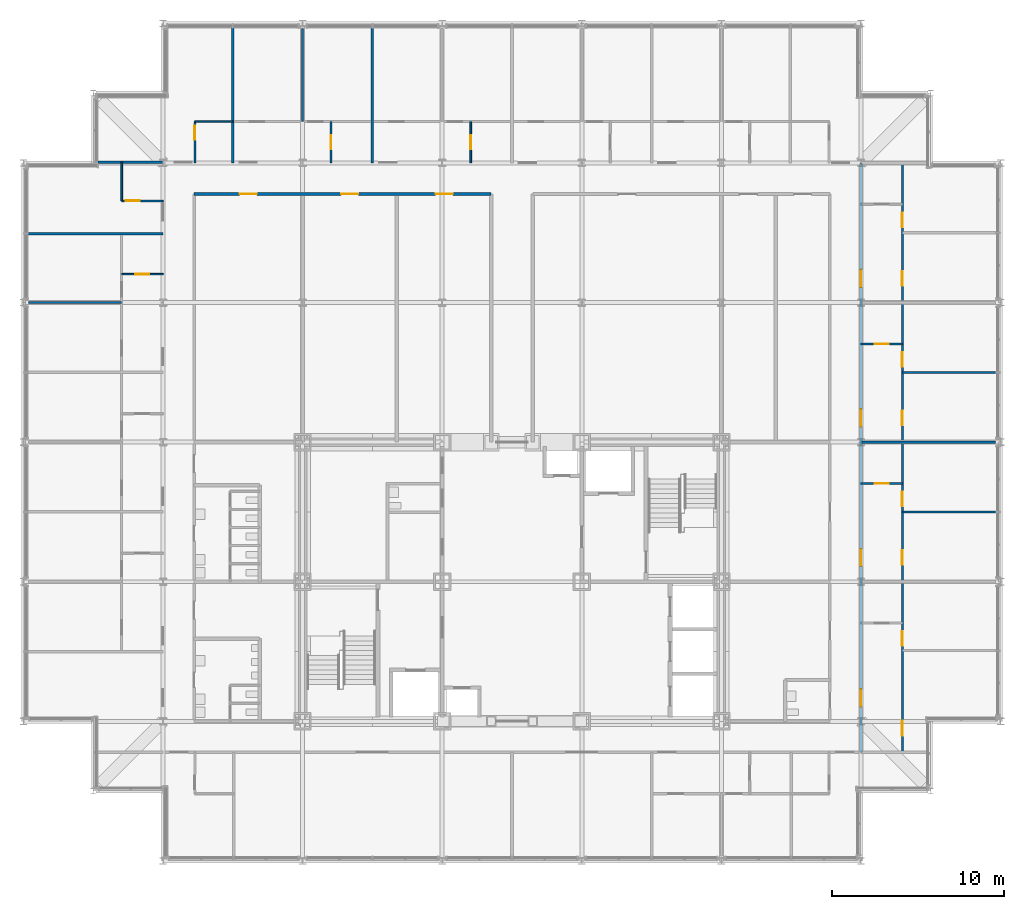
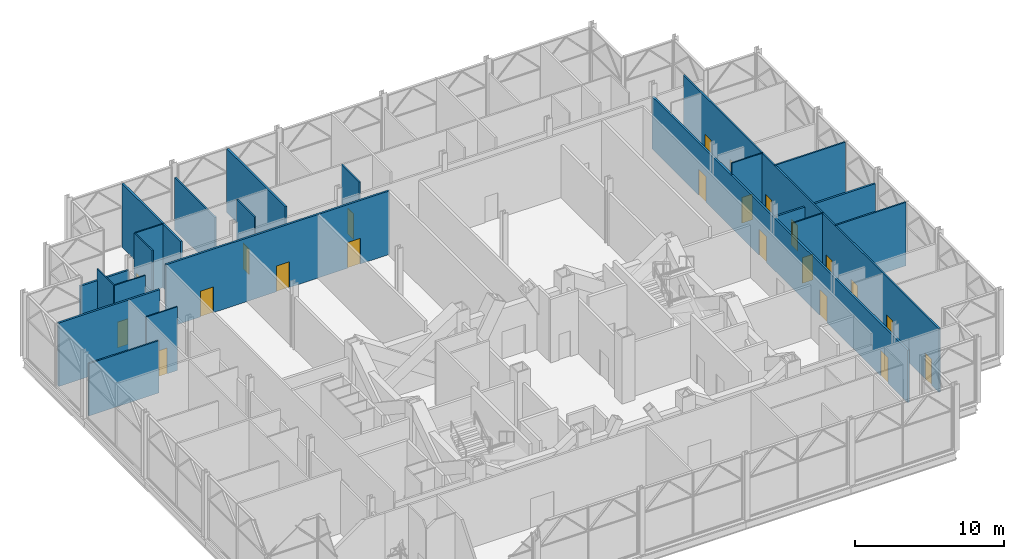
# One storey, part 22 of 26: 22 doors, 21 walls, 22 openings.
"""IFC4 building model written with IfcOpenShell, lengths in metres."""

from ifc_helpers import new_model, si_unit, direction, frame, frame_2d, origin, place, context, subcontext, project, spatial, rectangle, extrude, material, layer, layer_set, type_object, element, fill, save


model = new_model("IFC4")

# Units and contexts
model_context = context("Model", 3, precision=1e-05, world=origin(), true_north=direction((0.0, 1.0)))
body_context = subcontext(model_context, "Body", "Model", "MODEL_VIEW")
ifc_project = project(units=[si_unit("LENGTHUNIT", "METRE"), si_unit("AREAUNIT", "SQUARE_METRE"), si_unit("VOLUMEUNIT", "CUBIC_METRE"), si_unit("PLANEANGLEUNIT", "RADIAN"), si_unit("MASSUNIT", "GRAM", prefix="KILO")], contexts=[model_context])

# Site, building, storey
site_placement = place(None, origin())
site = spatial("IfcSite", under=ifc_project, at=site_placement, CompositionType="ELEMENT")
building_placement = place(site_placement, origin())
building = spatial("IfcBuilding", under=site, at=building_placement, Name="Kopane Lantern Tower", CompositionType="ELEMENT")
storey_placement = place(building_placement, frame((0.0, 0.0, 293.10009765625)))
storey = spatial("IfcBuildingStorey", under=building, at=storey_placement, Name="L75", CompositionType="ELEMENT", Elevation=293.10009765625)

# Walls
ifc_material_1 = material(Name="Gypsum board on steel studs", Category="steel")
ifc_layer_1 = layer(ifc_material_1, 0.1201171875)
ifc_layer_set_1 = layer_set([ifc_layer_1], Name="APARTMENT INTERNAL WALL 120")
wall_type_1 = type_object("IfcWallType", Name="APARTMENT INTERNAL WALL 120", PredefinedType="PARTITIONING", material=ifc_layer_set_1)
for number, where, z_axis, x_axis, name in (
    (1, (16.199951171875, 59.10009765625, 0.0), (0.0, 0.0, 1.0), (0.0, 1.0, 0.0), "Apartment Internal Wall 120 L75"),
    (2, (5.699951171875, 48.60009765625, 0.0), (0.0, 0.0, 1.0), (-1.0, 0.0, 0.0), "Apartment Internal Wall 120 L75"),
):
    element("IfcWall", number, at=place(storey_placement, frame(where, z_axis=z_axis, x_axis=x_axis)), inside=storey, type_object=wall_type_1, Name=name, PredefinedType="PARTITIONING", context=body_context, shape_type="SweptSolid", body=[
        extrude(rectangle(XDim=5.39990234375, YDim=0.1201171875, at=frame_2d((2.699951171875, 0.0))), origin(), (0.0, 0.0, 1.0), 4.271484375),
    ])

# Wall, openings, doors
wall_1_placement = place(storey_placement, frame((51.0, 22.5, 0.0), z_axis=(0.0, 0.0, 1.0), x_axis=(0.0, 1.0, 0.0)))
wall_1 = element("IfcWall", 3, at=wall_1_placement, inside=storey, type_object=wall_type_1, Name="Apartment Internal Wall 120 L75", PredefinedType="PARTITIONING", context=body_context, shape_type="SweptSolid", body=[
    extrude(rectangle(XDim=34.199951171875, YDim=0.1201171875, at=frame_2d((17.10009765625, 0.0))), origin(), (0.0, 0.0, 1.0), 5.18994140625),
])
opening_1_placement = place(wall_1_placement, frame((0.97509765625, 0.0, 0.0)))
opening_1 = element("IfcOpeningElement", 4, at=opening_1_placement, cuts=wall_1, Name="Opening L75-053", PredefinedType="OPENING", context=body_context, shape_type="SweptSolid", body=[
    extrude(rectangle(XDim=0.85009765625, YDim=2.10009765625, at=frame_2d((0.425048828125, 1.050048828125))), frame((0.0, 0.070068359375, 0.0), z_axis=(0.0, -1.0, 0.0), x_axis=(1.0, 0.0, 0.0)), (0.0, 0.0, 1.0), 0.14013671875),
])
opening_2_placement = place(wall_1_placement, frame((6.175048828125, 0.0, 0.0)))
opening_2 = element("IfcOpeningElement", 5, at=opening_2_placement, cuts=wall_1, Name="Opening L75-054", PredefinedType="OPENING", context=body_context, shape_type="SweptSolid", body=[
    extrude(rectangle(XDim=0.85009765625, YDim=2.10009765625, at=frame_2d((0.425048828125, 1.050048828125))), frame((0.0, 0.070068359375, 0.0), z_axis=(0.0, -1.0, 0.0), x_axis=(1.0, 0.0, 0.0)), (0.0, 0.0, 1.0), 0.14013671875),
])
opening_3_placement = place(wall_1_placement, frame((10.875, 0.0, 0.0)))
opening_3 = element("IfcOpeningElement", 6, at=opening_3_placement, cuts=wall_1, Name="Opening L75-057", PredefinedType="OPENING", context=body_context, shape_type="SweptSolid", body=[
    extrude(rectangle(XDim=0.85009765625, YDim=2.10009765625, at=frame_2d((0.425048828125, 1.050048828125))), frame((0.0, 0.070068359375, 0.0), z_axis=(0.0, -1.0, 0.0), x_axis=(1.0, 0.0, 0.0)), (0.0, 0.0, 1.0), 0.14013671875),
])
opening_4_placement = place(wall_1_placement, frame((14.27490234375, 0.0, 0.0)))
opening_4 = element("IfcOpeningElement", 7, at=opening_4_placement, cuts=wall_1, Name="Opening L75-058", PredefinedType="OPENING", context=body_context, shape_type="SweptSolid", body=[
    extrude(rectangle(XDim=0.85009765625, YDim=2.10009765625, at=frame_2d((0.425048828125, 1.050048828125))), frame((0.0, 0.070068359375, 0.0), z_axis=(0.0, -1.0, 0.0), x_axis=(1.0, 0.0, 0.0)), (0.0, 0.0, 1.0), 0.14013671875),
])
opening_5_placement = place(wall_1_placement, frame((18.97509765625, 0.0, 0.0)))
opening_5 = element("IfcOpeningElement", 8, at=opening_5_placement, cuts=wall_1, Name="Opening L75-061", PredefinedType="OPENING", context=body_context, shape_type="SweptSolid", body=[
    extrude(rectangle(XDim=0.85009765625, YDim=2.10009765625, at=frame_2d((0.425048828125, 1.050048828125))), frame((0.0, 0.070068359375, 0.0), z_axis=(0.0, -1.0, 0.0), x_axis=(1.0, 0.0, 0.0)), (0.0, 0.0, 1.0), 0.14013671875),
])
opening_6_placement = place(wall_1_placement, frame((22.375, 0.0, 0.0)))
opening_6 = element("IfcOpeningElement", 9, at=opening_6_placement, cuts=wall_1, Name="Opening L75-062", PredefinedType="OPENING", context=body_context, shape_type="SweptSolid", body=[
    extrude(rectangle(XDim=0.85009765625, YDim=2.10009765625, at=frame_2d((0.425048828125, 1.050048828125))), frame((0.0, 0.070068359375, 0.0), z_axis=(0.0, -1.0, 0.0), x_axis=(1.0, 0.0, 0.0)), (0.0, 0.0, 1.0), 0.14013671875),
])
opening_7_placement = place(wall_1_placement, frame((27.074951171875, 0.0, 0.0)))
opening_7 = element("IfcOpeningElement", 10, at=opening_7_placement, cuts=wall_1, Name="Opening L75-065", PredefinedType="OPENING", context=body_context, shape_type="SweptSolid", body=[
    extrude(rectangle(XDim=0.85009765625, YDim=2.10009765625, at=frame_2d((0.425048828125, 1.050048828125))), frame((0.0, 0.070068359375, 0.0), z_axis=(0.0, -1.0, 0.0), x_axis=(1.0, 0.0, 0.0)), (0.0, 0.0, 1.0), 0.14013671875),
])
opening_8_placement = place(wall_1_placement, frame((30.47509765625, 0.0, 0.0)))
opening_8 = element("IfcOpeningElement", 11, at=opening_8_placement, cuts=wall_1, Name="Opening L75-066", PredefinedType="OPENING", context=body_context, shape_type="SweptSolid", body=[
    extrude(rectangle(XDim=0.85009765625, YDim=2.10009765625, at=frame_2d((0.425048828125, 1.050048828125))), frame((0.0, 0.070068359375, 0.0), z_axis=(0.0, -1.0, 0.0), x_axis=(1.0, 0.0, 0.0)), (0.0, 0.0, 1.0), 0.14013671875),
])
ifc_material_2 = material(Name="Timber door set", Category="wood")
door_type_1 = type_object("IfcDoorType", Name="DOOR D4 850x2100", OperationType="SINGLE_SWING_LEFT", PredefinedType="DOOR", material=ifc_material_2)
door_1_placement = place(opening_1_placement, origin())
door_1 = element("IfcDoor", 12, at=door_1_placement, inside=storey, type_object=door_type_1, Name="Door L75-053", OperationType="SINGLE_SWING_LEFT", OverallHeight=2.10009765625, OverallWidth=0.85009765625, PredefinedType="DOOR", context=body_context, shape_type="SweptSolid", body=[
    extrude(rectangle(XDim=0.85009765625, YDim=2.10009765625, at=frame_2d((0.425048828125, 1.050048828125))), frame((0.0, 0.02490234375, 0.0), z_axis=(0.0, -1.0, 0.0), x_axis=(1.0, 0.0, 0.0)), (0.0, 0.0, 1.0), 0.050048828125),
])
fill(opening_1, door_1)
door_2_placement = place(opening_2_placement, origin())
door_2 = element("IfcDoor", 13, at=door_2_placement, inside=storey, type_object=door_type_1, Name="Door L75-054", OperationType="SINGLE_SWING_RIGHT", OverallHeight=2.10009765625, OverallWidth=0.85009765625, PredefinedType="DOOR", context=body_context, shape_type="SweptSolid", body=[
    extrude(rectangle(XDim=0.85009765625, YDim=2.10009765625, at=frame_2d((0.425048828125, 1.050048828125))), frame((0.0, 0.02490234375, 0.0), z_axis=(0.0, -1.0, 0.0), x_axis=(1.0, 0.0, 0.0)), (0.0, 0.0, 1.0), 0.050048828125),
])
fill(opening_2, door_2)
door_3_placement = place(opening_3_placement, origin())
door_3 = element("IfcDoor", 14, at=door_3_placement, inside=storey, type_object=door_type_1, Name="Door L75-057", OperationType="SINGLE_SWING_LEFT", OverallHeight=2.10009765625, OverallWidth=0.85009765625, PredefinedType="DOOR", context=body_context, shape_type="SweptSolid", body=[
    extrude(rectangle(XDim=0.85009765625, YDim=2.10009765625, at=frame_2d((0.425048828125, 1.050048828125))), frame((0.0, 0.02490234375, 0.0), z_axis=(0.0, -1.0, 0.0), x_axis=(1.0, 0.0, 0.0)), (0.0, 0.0, 1.0), 0.050048828125),
])
fill(opening_3, door_3)
door_4_placement = place(opening_4_placement, origin())
door_4 = element("IfcDoor", 15, at=door_4_placement, inside=storey, type_object=door_type_1, Name="Door L75-058", OperationType="SINGLE_SWING_RIGHT", OverallHeight=2.10009765625, OverallWidth=0.85009765625, PredefinedType="DOOR", context=body_context, shape_type="SweptSolid", body=[
    extrude(rectangle(XDim=0.85009765625, YDim=2.10009765625, at=frame_2d((0.425048828125, 1.050048828125))), frame((0.0, 0.02490234375, 0.0), z_axis=(0.0, -1.0, 0.0), x_axis=(1.0, 0.0, 0.0)), (0.0, 0.0, 1.0), 0.050048828125),
])
fill(opening_4, door_4)
door_5_placement = place(opening_5_placement, origin())
door_5 = element("IfcDoor", 16, at=door_5_placement, inside=storey, type_object=door_type_1, Name="Door L75-061", OperationType="SINGLE_SWING_LEFT", OverallHeight=2.10009765625, OverallWidth=0.85009765625, PredefinedType="DOOR", context=body_context, shape_type="SweptSolid", body=[
    extrude(rectangle(XDim=0.85009765625, YDim=2.10009765625, at=frame_2d((0.425048828125, 1.050048828125))), frame((0.0, 0.02490234375, 0.0), z_axis=(0.0, -1.0, 0.0), x_axis=(1.0, 0.0, 0.0)), (0.0, 0.0, 1.0), 0.050048828125),
])
fill(opening_5, door_5)
door_6_placement = place(opening_6_placement, origin())
door_6 = element("IfcDoor", 17, at=door_6_placement, inside=storey, type_object=door_type_1, Name="Door L75-062", OperationType="SINGLE_SWING_RIGHT", OverallHeight=2.10009765625, OverallWidth=0.85009765625, PredefinedType="DOOR", context=body_context, shape_type="SweptSolid", body=[
    extrude(rectangle(XDim=0.85009765625, YDim=2.10009765625, at=frame_2d((0.425048828125, 1.050048828125))), frame((0.0, 0.02490234375, 0.0), z_axis=(0.0, -1.0, 0.0), x_axis=(1.0, 0.0, 0.0)), (0.0, 0.0, 1.0), 0.050048828125),
])
fill(opening_6, door_6)
door_7_placement = place(opening_7_placement, origin())
door_7 = element("IfcDoor", 18, at=door_7_placement, inside=storey, type_object=door_type_1, Name="Door L75-065", OperationType="SINGLE_SWING_LEFT", OverallHeight=2.10009765625, OverallWidth=0.85009765625, PredefinedType="DOOR", context=body_context, shape_type="SweptSolid", body=[
    extrude(rectangle(XDim=0.85009765625, YDim=2.10009765625, at=frame_2d((0.425048828125, 1.050048828125))), frame((0.0, 0.02490234375, 0.0), z_axis=(0.0, -1.0, 0.0), x_axis=(1.0, 0.0, 0.0)), (0.0, 0.0, 1.0), 0.050048828125),
])
fill(opening_7, door_7)
door_8_placement = place(opening_8_placement, origin())
door_8 = element("IfcDoor", 19, at=door_8_placement, inside=storey, type_object=door_type_1, Name="Door L75-066", OperationType="SINGLE_SWING_RIGHT", OverallHeight=2.10009765625, OverallWidth=0.85009765625, PredefinedType="DOOR", context=body_context, shape_type="SweptSolid", body=[
    extrude(rectangle(XDim=0.85009765625, YDim=2.10009765625, at=frame_2d((0.425048828125, 1.050048828125))), frame((0.0, 0.02490234375, 0.0), z_axis=(0.0, -1.0, 0.0), x_axis=(1.0, 0.0, 0.0)), (0.0, 0.0, 1.0), 0.050048828125),
])
fill(opening_8, door_8)

# Walls
for number, where, z_axis, x_axis, name in (
    (20, (51.0, 36.449951171875, 0.0), (0.0, 0.0, 1.0), (1.0, 0.0, 0.0), "Apartment Internal Wall 120 L75"),
    (21, (51.0, 44.550048828125, 0.0), (0.0, 0.0, 1.0), (1.0, 0.0, 0.0), "Apartment Internal Wall 120 L75"),
):
    element("IfcWall", number, at=place(storey_placement, frame(where, z_axis=z_axis, x_axis=x_axis)), inside=storey, type_object=wall_type_1, Name=name, PredefinedType="PARTITIONING", context=body_context, shape_type="SweptSolid", body=[
        extrude(rectangle(XDim=5.422119140625, YDim=0.1201171875, at=frame_2d((2.7109375, 0.0))), origin(), (0.0, 0.0, 1.0), 5.18994140625),
    ])

# Wall, opening, door
ifc_material_3 = material(Name="Moisture-resistant board on steel studs", Category="steel")
ifc_layer_2 = layer(ifc_material_3, 0.10009765625)
ifc_layer_set_2 = layer_set([ifc_layer_2], Name="BATHROOM WALL 100")
wall_type_2 = type_object("IfcWallType", Name="BATHROOM WALL 100", PredefinedType="PARTITIONING", material=ifc_layer_set_2)
wall_2_placement = place(storey_placement, frame((17.85009765625, 56.699951171875, 0.0), z_axis=(0.0, 0.0, 1.0), x_axis=(0.0, 1.0, 0.0)))
wall_2 = element("IfcWall", 22, at=wall_2_placement, inside=storey, type_object=wall_type_2, Name="Bathroom Wall 100 L75", PredefinedType="PARTITIONING", context=body_context, shape_type="SweptSolid", body=[
    extrude(rectangle(XDim=2.400146484375, YDim=0.10009765625, at=frame_2d((1.2001953125, 0.0))), origin(), (0.0, 0.0, 1.0), 5.18994140625),
])
opening_9_placement = place(wall_2_placement, frame((0.800048828125, 0.0, 0.0)))
opening_9 = element("IfcOpeningElement", 23, at=opening_9_placement, cuts=wall_2, Name="Opening L75-020", PredefinedType="OPENING", context=body_context, shape_type="SweptSolid", body=[
    extrude(rectangle(XDim=0.800048828125, YDim=2.10009765625, at=frame_2d((0.39990234375, 1.050048828125))), frame((0.0, 0.06005859375, 0.0), z_axis=(0.0, -1.0, 0.0), x_axis=(1.0, 0.0, 0.0)), (0.0, 0.0, 1.0), 0.1201171875),
])
ifc_material_4 = material(Name="Timber door set", Category="wood")
door_type_2 = type_object("IfcDoorType", Name="DOOR D2 800x2100", OperationType="SINGLE_SWING_LEFT", PredefinedType="DOOR", material=ifc_material_4)
door_9_placement = place(opening_9_placement, origin())
door_9 = element("IfcDoor", 24, at=door_9_placement, inside=storey, type_object=door_type_2, Name="Door L75-020", OperationType="SINGLE_SWING_RIGHT", OverallHeight=2.10009765625, OverallWidth=0.800048828125, PredefinedType="DOOR", context=body_context, shape_type="SweptSolid", body=[
    extrude(rectangle(XDim=0.800048828125, YDim=2.10009765625, at=frame_2d((0.39990234375, 1.050048828125))), frame((0.0, 0.02490234375, 0.0), z_axis=(0.0, -1.0, 0.0), x_axis=(1.0, 0.0, 0.0)), (0.0, 0.0, 1.0), 0.050048828125),
])
fill(opening_9, door_9)

wall_3_placement = place(storey_placement, frame((25.949951171875, 56.699951171875, 0.0), z_axis=(0.0, 0.0, 1.0), x_axis=(0.0, 1.0, 0.0)))
wall_3 = element("IfcWall", 25, at=wall_3_placement, inside=storey, type_object=wall_type_2, Name="Bathroom Wall 100 L75", PredefinedType="PARTITIONING", context=body_context, shape_type="SweptSolid", body=[
    extrude(rectangle(XDim=2.400146484375, YDim=0.10009765625, at=frame_2d((1.2001953125, 0.0))), origin(), (0.0, 0.0, 1.0), 5.18994140625),
])
opening_10_placement = place(wall_3_placement, frame((0.800048828125, 0.0, 0.0)))
opening_10 = element("IfcOpeningElement", 26, at=opening_10_placement, cuts=wall_3, Name="Opening L75-024", PredefinedType="OPENING", context=body_context, shape_type="SweptSolid", body=[
    extrude(rectangle(XDim=0.800048828125, YDim=2.10009765625, at=frame_2d((0.39990234375, 1.050048828125))), frame((0.0, 0.06005859375, 0.0), z_axis=(0.0, -1.0, 0.0), x_axis=(1.0, 0.0, 0.0)), (0.0, 0.0, 1.0), 0.1201171875),
])
door_10_placement = place(opening_10_placement, origin())
door_10 = element("IfcDoor", 27, at=door_10_placement, inside=storey, type_object=door_type_2, Name="Door L75-024", OperationType="SINGLE_SWING_RIGHT", OverallHeight=2.10009765625, OverallWidth=0.800048828125, PredefinedType="DOOR", context=body_context, shape_type="SweptSolid", body=[
    extrude(rectangle(XDim=0.800048828125, YDim=2.10009765625, at=frame_2d((0.39990234375, 1.050048828125))), frame((0.0, 0.02490234375, 0.0), z_axis=(0.0, -1.0, 0.0), x_axis=(1.0, 0.0, 0.0)), (0.0, 0.0, 1.0), 0.050048828125),
])
fill(opening_10, door_10)

wall_4_placement = place(storey_placement, frame((8.10009765625, 50.25, 0.0), z_axis=(0.0, 0.0, 1.0), x_axis=(-1.0, 0.0, 0.0)))
wall_4 = element("IfcWall", 28, at=wall_4_placement, inside=storey, type_object=wall_type_2, Name="Bathroom Wall 100 L75", PredefinedType="PARTITIONING", context=body_context, shape_type="SweptSolid", body=[
    extrude(rectangle(XDim=2.400146484375, YDim=0.10009765625, at=frame_2d((1.2001953125, 0.0))), origin(), (0.0, 0.0, 1.0), 5.18994140625),
])
opening_11_placement = place(wall_4_placement, frame((0.800048828125, 0.0, 0.0)))
opening_11 = element("IfcOpeningElement", 29, at=opening_11_placement, cuts=wall_4, Name="Opening L75-045", PredefinedType="OPENING", context=body_context, shape_type="SweptSolid", body=[
    extrude(rectangle(XDim=0.800048828125, YDim=2.10009765625, at=frame_2d((0.39990234375, 1.050048828125))), frame((0.0, 0.06005859375, 0.0), z_axis=(0.0, -1.0, 0.0), x_axis=(1.0, 0.0, 0.0)), (0.0, 0.0, 1.0), 0.1201171875),
])
door_11_placement = place(opening_11_placement, origin())
door_11 = element("IfcDoor", 30, at=door_11_placement, inside=storey, type_object=door_type_2, Name="Door L75-045", OperationType="SINGLE_SWING_RIGHT", OverallHeight=2.10009765625, OverallWidth=0.800048828125, PredefinedType="DOOR", context=body_context, shape_type="SweptSolid", body=[
    extrude(rectangle(XDim=0.800048828125, YDim=2.10009765625, at=frame_2d((0.39990234375, 1.050048828125))), frame((0.0, 0.02490234375, 0.0), z_axis=(0.0, -1.0, 0.0), x_axis=(1.0, 0.0, 0.0)), (0.0, 0.0, 1.0), 0.050048828125),
])
fill(opening_11, door_11)

# Wall
wall_5_placement = place(storey_placement, frame((5.699951171875, 54.5, 0.0), z_axis=(0.0, 0.0, 1.0), x_axis=(0.0, 1.0, 0.0)))
element("IfcWall", 31, at=wall_5_placement, inside=storey, type_object=wall_type_2, Name="Bathroom Wall 100 L75", PredefinedType="PARTITIONING", context=body_context, shape_type="SweptSolid", body=[
    extrude(rectangle(XDim=2.237548828125, YDim=0.10009765625, at=frame_2d((1.11865234375, 0.0))), origin(), (0.0, 0.0, 1.0), 5.18994140625),
])

# Wall, opening, door
wall_6_placement = place(storey_placement, frame((8.10009765625, 54.5, 0.0), z_axis=(0.0, 0.0, 1.0), x_axis=(-1.0, 0.0, 0.0)))
wall_6 = element("IfcWall", 32, at=wall_6_placement, inside=storey, type_object=wall_type_2, Name="Bathroom Wall 100 L75", PredefinedType="PARTITIONING", context=body_context, shape_type="SweptSolid", body=[
    extrude(rectangle(XDim=2.400146484375, YDim=0.10009765625, at=frame_2d((1.2001953125, 0.0))), origin(), (0.0, 0.0, 1.0), 5.18994140625),
])
opening_12_placement = place(wall_6_placement, frame((1.35009765625, 0.0, 0.0)))
opening_12 = element("IfcOpeningElement", 33, at=opening_12_placement, cuts=wall_6, Name="Opening L75-049", PredefinedType="OPENING", context=body_context, shape_type="SweptSolid", body=[
    extrude(rectangle(XDim=0.800048828125, YDim=2.10009765625, at=frame_2d((0.39990234375, 1.050048828125))), frame((0.0, 0.06005859375, 0.0), z_axis=(0.0, -1.0, 0.0), x_axis=(1.0, 0.0, 0.0)), (0.0, 0.0, 1.0), 0.1201171875),
])
door_12_placement = place(opening_12_placement, origin())
door_12 = element("IfcDoor", 34, at=door_12_placement, inside=storey, type_object=door_type_2, Name="Door L75-049", OperationType="SINGLE_SWING_LEFT", OverallHeight=2.10009765625, OverallWidth=0.800048828125, PredefinedType="DOOR", context=body_context, shape_type="SweptSolid", body=[
    extrude(rectangle(XDim=0.800048828125, YDim=2.10009765625, at=frame_2d((0.39990234375, 1.050048828125))), frame((0.0, 0.02490234375, 0.0), z_axis=(0.0, -1.0, 0.0), x_axis=(1.0, 0.0, 0.0)), (0.0, 0.0, 1.0), 0.050048828125),
])
fill(opening_12, door_12)

wall_7_placement = place(storey_placement, frame((48.60009765625, 38.10009765625, 0.0), z_axis=(0.0, 0.0, 1.0), x_axis=(1.0, 0.0, 0.0)))
wall_7 = element("IfcWall", 35, at=wall_7_placement, inside=storey, type_object=wall_type_2, Name="Bathroom Wall 100 L75", PredefinedType="PARTITIONING", context=body_context, shape_type="SweptSolid", body=[
    extrude(rectangle(XDim=2.39990234375, YDim=0.10009765625, at=frame_2d((1.199951171875, 0.0))), origin(), (0.0, 0.0, 1.0), 5.18994140625),
])
opening_13_placement = place(wall_7_placement, frame((0.800048828125, 0.0, 0.0)))
opening_13 = element("IfcOpeningElement", 36, at=opening_13_placement, cuts=wall_7, Name="Opening L75-055", PredefinedType="OPENING", context=body_context, shape_type="SweptSolid", body=[
    extrude(rectangle(XDim=0.800048828125, YDim=2.10009765625, at=frame_2d((0.39990234375, 1.050048828125))), frame((0.0, 0.06005859375, 0.0), z_axis=(0.0, -1.0, 0.0), x_axis=(1.0, 0.0, 0.0)), (0.0, 0.0, 1.0), 0.1201171875),
])
door_13_placement = place(opening_13_placement, origin())
door_13 = element("IfcDoor", 37, at=door_13_placement, inside=storey, type_object=door_type_2, Name="Door L75-055", OperationType="SINGLE_SWING_LEFT", OverallHeight=2.10009765625, OverallWidth=0.800048828125, PredefinedType="DOOR", context=body_context, shape_type="SweptSolid", body=[
    extrude(rectangle(XDim=0.800048828125, YDim=2.10009765625, at=frame_2d((0.39990234375, 1.050048828125))), frame((0.0, 0.02490234375, 0.0), z_axis=(0.0, -1.0, 0.0), x_axis=(1.0, 0.0, 0.0)), (0.0, 0.0, 1.0), 0.050048828125),
])
fill(opening_13, door_13)

wall_8_placement = place(storey_placement, frame((48.60009765625, 46.199951171875, 0.0), z_axis=(0.0, 0.0, 1.0), x_axis=(1.0, 0.0, 0.0)))
wall_8 = element("IfcWall", 38, at=wall_8_placement, inside=storey, type_object=wall_type_2, Name="Bathroom Wall 100 L75", PredefinedType="PARTITIONING", context=body_context, shape_type="SweptSolid", body=[
    extrude(rectangle(XDim=2.39990234375, YDim=0.10009765625, at=frame_2d((1.199951171875, 0.0))), origin(), (0.0, 0.0, 1.0), 5.18994140625),
])
opening_14_placement = place(wall_8_placement, frame((0.800048828125, 0.0, 0.0)))
opening_14 = element("IfcOpeningElement", 39, at=opening_14_placement, cuts=wall_8, Name="Opening L75-059", PredefinedType="OPENING", context=body_context, shape_type="SweptSolid", body=[
    extrude(rectangle(XDim=0.800048828125, YDim=2.10009765625, at=frame_2d((0.39990234375, 1.050048828125))), frame((0.0, 0.06005859375, 0.0), z_axis=(0.0, -1.0, 0.0), x_axis=(1.0, 0.0, 0.0)), (0.0, 0.0, 1.0), 0.1201171875),
])
door_14_placement = place(opening_14_placement, origin())
door_14 = element("IfcDoor", 40, at=door_14_placement, inside=storey, type_object=door_type_2, Name="Door L75-059", OperationType="SINGLE_SWING_LEFT", OverallHeight=2.10009765625, OverallWidth=0.800048828125, PredefinedType="DOOR", context=body_context, shape_type="SweptSolid", body=[
    extrude(rectangle(XDim=0.800048828125, YDim=2.10009765625, at=frame_2d((0.39990234375, 1.050048828125))), frame((0.0, 0.02490234375, 0.0), z_axis=(0.0, -1.0, 0.0), x_axis=(1.0, 0.0, 0.0)), (0.0, 0.0, 1.0), 0.050048828125),
])
fill(opening_14, door_14)

# Wall
wall_9_placement = place(storey_placement, frame((9.949951171875, 59.10009765625, 0.0), z_axis=(0.0, 0.0, 1.0), x_axis=(1.0, 0.0, 0.0)))
element("IfcWall", 41, at=wall_9_placement, inside=storey, type_object=wall_type_2, Name="Bathroom Wall 100 L75", PredefinedType="PARTITIONING", context=body_context, shape_type="SweptSolid", body=[
    extrude(rectangle(XDim=2.199951171875, YDim=0.10009765625, at=frame_2d((1.10009765625, 0.0))), origin(), (0.0, 0.0, 1.0), 5.18994140625),
])

# Wall, opening, door
wall_10_placement = place(storey_placement, frame((9.949951171875, 56.699951171875, 0.0), z_axis=(0.0, 0.0, 1.0), x_axis=(0.0, 1.0, 0.0)))
wall_10 = element("IfcWall", 42, at=wall_10_placement, inside=storey, type_object=wall_type_2, Name="Bathroom Wall 100 L75", PredefinedType="PARTITIONING", context=body_context, shape_type="SweptSolid", body=[
    extrude(rectangle(XDim=2.400146484375, YDim=0.10009765625, at=frame_2d((1.2001953125, 0.0))), origin(), (0.0, 0.0, 1.0), 5.18994140625),
])
opening_15_placement = place(wall_10_placement, frame((1.35009765625, 0.0, 0.0)))
opening_15 = element("IfcOpeningElement", 43, at=opening_15_placement, cuts=wall_10, Name="Opening L75-073", PredefinedType="OPENING", context=body_context, shape_type="SweptSolid", body=[
    extrude(rectangle(XDim=0.800048828125, YDim=2.10009765625, at=frame_2d((0.39990234375, 1.050048828125))), frame((0.0, 0.06005859375, 0.0), z_axis=(0.0, -1.0, 0.0), x_axis=(1.0, 0.0, 0.0)), (0.0, 0.0, 1.0), 0.1201171875),
])
door_15_placement = place(opening_15_placement, origin())
door_15 = element("IfcDoor", 44, at=door_15_placement, inside=storey, type_object=door_type_2, Name="Door L75-073", OperationType="SINGLE_SWING_LEFT", OverallHeight=2.10009765625, OverallWidth=0.800048828125, PredefinedType="DOOR", context=body_context, shape_type="SweptSolid", body=[
    extrude(rectangle(XDim=0.800048828125, YDim=2.10009765625, at=frame_2d((0.39990234375, 1.050048828125))), frame((0.0, 0.02490234375, 0.0), z_axis=(0.0, -1.0, 0.0), x_axis=(1.0, 0.0, 0.0)), (0.0, 0.0, 1.0), 0.050048828125),
])
fill(opening_15, door_15)

# Wall, openings, doors
ifc_material_5 = material(Name="Gypsum board on steel studs", Category="steel")
ifc_layer_3 = layer(ifc_material_5, 0.14990234375)
ifc_layer_set_3 = layer_set([ifc_layer_3], Name="CORRIDOR WALL 150 EI 60")
wall_type_3 = type_object("IfcWallType", Name="CORRIDOR WALL 150 EI 60", PredefinedType="PARTITIONING", material=ifc_layer_set_3)
wall_11_placement = place(storey_placement, frame((48.60009765625, 22.5, 0.0), z_axis=(0.0, 0.0, 1.0), x_axis=(0.0, 1.0, 0.0)))
wall_11 = element("IfcWall", 45, at=wall_11_placement, inside=storey, type_object=wall_type_3, Name="Corridor Wall 150 Ei 60 L75", PredefinedType="PARTITIONING", context=body_context, shape_type="SweptSolid", body=[
    extrude(rectangle(XDim=34.199951171875, YDim=0.14990234375, at=frame_2d((17.10009765625, 0.0))), origin(), (0.0, 0.0, 1.0), 4.271484375),
])
opening_16_placement = place(wall_11_placement, frame((2.64990234375, 0.0, 0.0)))
opening_16 = element("IfcOpeningElement", 46, at=opening_16_placement, cuts=wall_11, Name="Opening L75-052", PredefinedType="OPENING", context=body_context, shape_type="SweptSolid", body=[
    extrude(rectangle(XDim=1.0, YDim=2.10009765625, at=frame_2d((0.5, 1.050048828125))), frame((0.0, 0.0849609375, 0.0), z_axis=(0.0, -1.0, 0.0), x_axis=(1.0, 0.0, 0.0)), (0.0, 0.0, 1.0), 0.169921875),
])
opening_17_placement = place(wall_11_placement, frame((10.800048828125, 0.0, 0.0)))
opening_17 = element("IfcOpeningElement", 47, at=opening_17_placement, cuts=wall_11, Name="Opening L75-056", PredefinedType="OPENING", context=body_context, shape_type="SweptSolid", body=[
    extrude(rectangle(XDim=1.0, YDim=2.10009765625, at=frame_2d((0.5, 1.050048828125))), frame((0.0, 0.0849609375, 0.0), z_axis=(0.0, -1.0, 0.0), x_axis=(1.0, 0.0, 0.0)), (0.0, 0.0, 1.0), 0.169921875),
])
opening_18_placement = place(wall_11_placement, frame((18.89990234375, 0.0, 0.0)))
opening_18 = element("IfcOpeningElement", 48, at=opening_18_placement, cuts=wall_11, Name="Opening L75-060", PredefinedType="OPENING", context=body_context, shape_type="SweptSolid", body=[
    extrude(rectangle(XDim=1.0, YDim=2.10009765625, at=frame_2d((0.5, 1.050048828125))), frame((0.0, 0.0849609375, 0.0), z_axis=(0.0, -1.0, 0.0), x_axis=(1.0, 0.0, 0.0)), (0.0, 0.0, 1.0), 0.169921875),
])
opening_19_placement = place(wall_11_placement, frame((27.0, 0.0, 0.0)))
opening_19 = element("IfcOpeningElement", 49, at=opening_19_placement, cuts=wall_11, Name="Opening L75-064", PredefinedType="OPENING", context=body_context, shape_type="SweptSolid", body=[
    extrude(rectangle(XDim=1.0, YDim=2.10009765625, at=frame_2d((0.5, 1.050048828125))), frame((0.0, 0.0849609375, 0.0), z_axis=(0.0, -1.0, 0.0), x_axis=(1.0, 0.0, 0.0)), (0.0, 0.0, 1.0), 0.169921875),
])
ifc_material_6 = material(Name="Steel door set", Category="steel")
door_type_3 = type_object("IfcDoorType", Name="DOOR D3 1000x2100 FD30S", OperationType="SINGLE_SWING_LEFT", PredefinedType="DOOR", material=ifc_material_6)
door_16_placement = place(opening_16_placement, origin())
door_16 = element("IfcDoor", 50, at=door_16_placement, inside=storey, type_object=door_type_3, Name="Door L75-052", OperationType="SINGLE_SWING_RIGHT", OverallHeight=2.10009765625, OverallWidth=1.0, PredefinedType="DOOR", context=body_context, shape_type="SweptSolid", body=[
    extrude(rectangle(XDim=1.0, YDim=2.10009765625, at=frame_2d((0.5, 1.050048828125))), frame((0.0, 0.02490234375, 0.0), z_axis=(0.0, -1.0, 0.0), x_axis=(1.0, 0.0, 0.0)), (0.0, 0.0, 1.0), 0.050048828125),
])
fill(opening_16, door_16)
door_17_placement = place(opening_17_placement, origin())
door_17 = element("IfcDoor", 51, at=door_17_placement, inside=storey, type_object=door_type_3, Name="Door L75-056", OperationType="SINGLE_SWING_RIGHT", OverallHeight=2.10009765625, OverallWidth=1.0, PredefinedType="DOOR", context=body_context, shape_type="SweptSolid", body=[
    extrude(rectangle(XDim=1.0, YDim=2.10009765625, at=frame_2d((0.5, 1.050048828125))), frame((0.0, 0.02490234375, 0.0), z_axis=(0.0, -1.0, 0.0), x_axis=(1.0, 0.0, 0.0)), (0.0, 0.0, 1.0), 0.050048828125),
])
fill(opening_17, door_17)
door_18_placement = place(opening_18_placement, origin())
door_18 = element("IfcDoor", 52, at=door_18_placement, inside=storey, type_object=door_type_3, Name="Door L75-060", OperationType="SINGLE_SWING_RIGHT", OverallHeight=2.10009765625, OverallWidth=1.0, PredefinedType="DOOR", context=body_context, shape_type="SweptSolid", body=[
    extrude(rectangle(XDim=1.0, YDim=2.10009765625, at=frame_2d((0.5, 1.050048828125))), frame((0.0, 0.02490234375, 0.0), z_axis=(0.0, -1.0, 0.0), x_axis=(1.0, 0.0, 0.0)), (0.0, 0.0, 1.0), 0.050048828125),
])
fill(opening_18, door_18)
door_19_placement = place(opening_19_placement, origin())
door_19 = element("IfcDoor", 53, at=door_19_placement, inside=storey, type_object=door_type_3, Name="Door L75-064", OperationType="SINGLE_SWING_RIGHT", OverallHeight=2.10009765625, OverallWidth=1.0, PredefinedType="DOOR", context=body_context, shape_type="SweptSolid", body=[
    extrude(rectangle(XDim=1.0, YDim=2.10009765625, at=frame_2d((0.5, 1.050048828125))), frame((0.0, 0.02490234375, 0.0), z_axis=(0.0, -1.0, 0.0), x_axis=(1.0, 0.0, 0.0)), (0.0, 0.0, 1.0), 0.050048828125),
])
fill(opening_19, door_19)

wall_12_placement = place(storey_placement, frame((27.139892578125, 54.89990234375, 0.0), z_axis=(0.0, 0.0, 1.0), x_axis=(-1.0, 0.0, 0.0)))
wall_12 = element("IfcWall", 54, at=wall_12_placement, inside=storey, type_object=wall_type_3, Name="Corridor Wall 150 Ei 60 L75", PredefinedType="PARTITIONING", context=body_context, shape_type="SweptSolid", body=[
    extrude(rectangle(XDim=17.239990234375, YDim=0.14990234375, at=frame_2d((8.6201171875, 0.0))), origin(), (0.0, 0.0, 1.0), 5.18994140625),
])
opening_20_placement = place(wall_12_placement, frame((13.590087890625, 0.0, 0.0)))
opening_20 = element("IfcOpeningElement", 55, at=opening_20_placement, cuts=wall_12, Name="Opening L75-008", PredefinedType="OPENING", context=body_context, shape_type="SweptSolid", body=[
    extrude(rectangle(XDim=1.0, YDim=2.10009765625, at=frame_2d((0.5, 1.050048828125))), frame((0.0, 0.0849609375, 0.0), z_axis=(0.0, -1.0, 0.0), x_axis=(1.0, 0.0, 0.0)), (0.0, 0.0, 1.0), 0.169921875),
])
opening_21_placement = place(wall_12_placement, frame((7.702392578125, 0.0, 0.0)))
opening_21 = element("IfcOpeningElement", 56, at=opening_21_placement, cuts=wall_12, Name="Opening L75-009", PredefinedType="OPENING", context=body_context, shape_type="SweptSolid", body=[
    extrude(rectangle(XDim=1.0, YDim=2.10009765625, at=frame_2d((0.5, 1.050048828125))), frame((0.0, 0.0849609375, 0.0), z_axis=(0.0, -1.0, 0.0), x_axis=(1.0, 0.0, 0.0)), (0.0, 0.0, 1.0), 0.169921875),
])
opening_22_placement = place(wall_12_placement, frame((2.2275390625, 0.0, 0.0)))
opening_22 = element("IfcOpeningElement", 57, at=opening_22_placement, cuts=wall_12, Name="Opening L75-010", PredefinedType="OPENING", context=body_context, shape_type="SweptSolid", body=[
    extrude(rectangle(XDim=1.0, YDim=2.10009765625, at=frame_2d((0.5, 1.050048828125))), frame((0.0, 0.0849609375, 0.0), z_axis=(0.0, -1.0, 0.0), x_axis=(1.0, 0.0, 0.0)), (0.0, 0.0, 1.0), 0.169921875),
])
ifc_material_7 = material(Name="Steel door set", Category="steel")
door_type_4 = type_object("IfcDoorType", Name="DOOR D5 1000x2100 FD60", OperationType="SINGLE_SWING_LEFT", PredefinedType="DOOR", material=ifc_material_7)
door_20_placement = place(opening_20_placement, origin())
door_20 = element("IfcDoor", 58, at=door_20_placement, inside=storey, type_object=door_type_4, Name="Door L75-008", OperationType="SINGLE_SWING_LEFT", OverallHeight=2.10009765625, OverallWidth=1.0, PredefinedType="DOOR", context=body_context, shape_type="SweptSolid", body=[
    extrude(rectangle(XDim=1.0, YDim=2.10009765625, at=frame_2d((0.5, 1.050048828125))), frame((0.0, 0.02490234375, 0.0), z_axis=(0.0, -1.0, 0.0), x_axis=(1.0, 0.0, 0.0)), (0.0, 0.0, 1.0), 0.050048828125),
])
fill(opening_20, door_20)
door_21_placement = place(opening_21_placement, origin())
door_21 = element("IfcDoor", 59, at=door_21_placement, inside=storey, type_object=door_type_4, Name="Door L75-009", OperationType="SINGLE_SWING_RIGHT", OverallHeight=2.10009765625, OverallWidth=1.0, PredefinedType="DOOR", context=body_context, shape_type="SweptSolid", body=[
    extrude(rectangle(XDim=1.0, YDim=2.10009765625, at=frame_2d((0.5, 1.050048828125))), frame((0.0, 0.02490234375, 0.0), z_axis=(0.0, -1.0, 0.0), x_axis=(1.0, 0.0, 0.0)), (0.0, 0.0, 1.0), 0.050048828125),
])
fill(opening_21, door_21)
door_22_placement = place(opening_22_placement, origin())
door_22 = element("IfcDoor", 60, at=door_22_placement, inside=storey, type_object=door_type_4, Name="Door L75-010", OperationType="SINGLE_SWING_LEFT", OverallHeight=2.10009765625, OverallWidth=1.0, PredefinedType="DOOR", context=body_context, shape_type="SweptSolid", body=[
    extrude(rectangle(XDim=1.0, YDim=2.10009765625, at=frame_2d((0.5, 1.050048828125))), frame((0.0, 0.02490234375, 0.0), z_axis=(0.0, -1.0, 0.0), x_axis=(1.0, 0.0, 0.0)), (0.0, 0.0, 1.0), 0.050048828125),
])
fill(opening_22, door_22)

# Walls
ifc_material_8 = material(Name="Gypsum board on steel studs", Category="steel")
ifc_layer_4 = layer(ifc_material_8, 0.14990234375)
ifc_layer_set_4 = layer_set([ifc_layer_4], Name="DEMISING WALL 150 EI 60")
wall_type_4 = type_object("IfcWallType", Name="DEMISING WALL 150 EI 60", PredefinedType="PARTITIONING", material=ifc_layer_set_4)
for number, where, z_axis, x_axis, name in (
    (61, (20.25, 56.699951171875, 0.0), (0.0, 0.0, 1.0), (0.0, 1.0, 0.0), "Demising Wall 150 Ei 60 L75"),
    (62, (8.10009765625, 52.600830078125, 0.0), (0.0, 0.0, 1.0), (-1.0, 0.0, 0.0), "Demising Wall 150 Ei 60 L75"),
):
    element("IfcWall", number, at=place(storey_placement, frame(where, z_axis=z_axis, x_axis=x_axis)), inside=storey, type_object=wall_type_4, Name=name, PredefinedType="PARTITIONING", context=body_context, shape_type="SweptSolid", body=[
        extrude(rectangle(XDim=7.822021484375, YDim=0.14990234375, at=frame_2d((3.9111328125, 0.0))), origin(), (0.0, 0.0, 1.0), 5.18994140625),
    ])
wall_13_placement = place(storey_placement, frame((48.60009765625, 40.5, 0.0), z_axis=(0.0, 0.0, 1.0), x_axis=(1.0, 0.0, 0.0)))
element("IfcWall", 63, at=wall_13_placement, inside=storey, type_object=wall_type_4, Name="Demising Wall 150 Ei 60 L75", PredefinedType="PARTITIONING", context=body_context, shape_type="SweptSolid", body=[
    extrude(rectangle(XDim=7.7998046875, YDim=0.14990234375, at=frame_2d((3.89990234375, 0.0))), origin(), (0.0, 0.0, 1.0), 4.271484375),
])
wall_14_placement = place(storey_placement, frame((4.327880859375, 56.737548828125, 0.0), z_axis=(0.0, 0.0, 1.0), x_axis=(1.0, 0.0, 0.0)))
element("IfcWall", 64, at=wall_14_placement, inside=storey, type_object=wall_type_4, Name="Demising Wall 150 Ei 60 L75", PredefinedType="PARTITIONING", context=body_context, shape_type="SweptSolid", body=[
    extrude(rectangle(XDim=3.772216796875, YDim=0.14990234375, at=frame_2d((1.88623046875, 0.0))), origin(), (0.0, 0.0, 1.0), 4.271484375),
])
wall_15_placement = place(storey_placement, frame((12.14990234375, 56.699951171875, 0.0), z_axis=(0.0, 0.0, 1.0), x_axis=(0.0, 1.0, 0.0)))
element("IfcWall", 65, at=wall_15_placement, inside=storey, type_object=wall_type_4, Name="Demising Wall 150 Ei 60 L75", PredefinedType="PARTITIONING", context=body_context, shape_type="SweptSolid", body=[
    extrude(rectangle(XDim=7.822021484375, YDim=0.14990234375, at=frame_2d((3.9111328125, 0.0))), origin(), (0.0, 0.0, 1.0), 5.18994140625),
])

save(model, "model.ifc")
